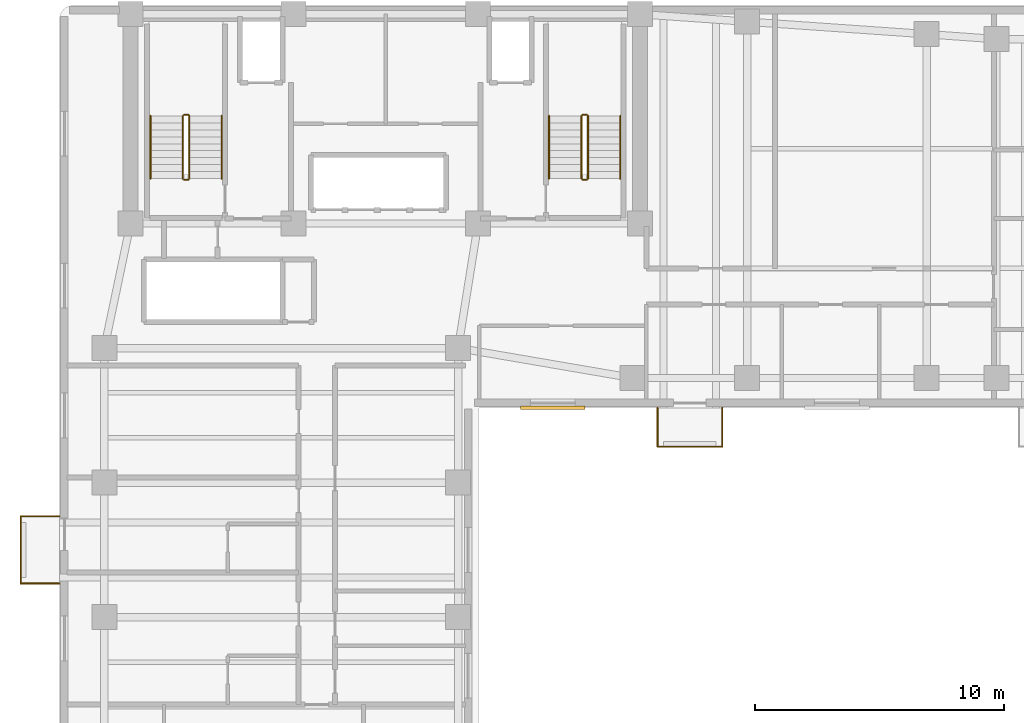
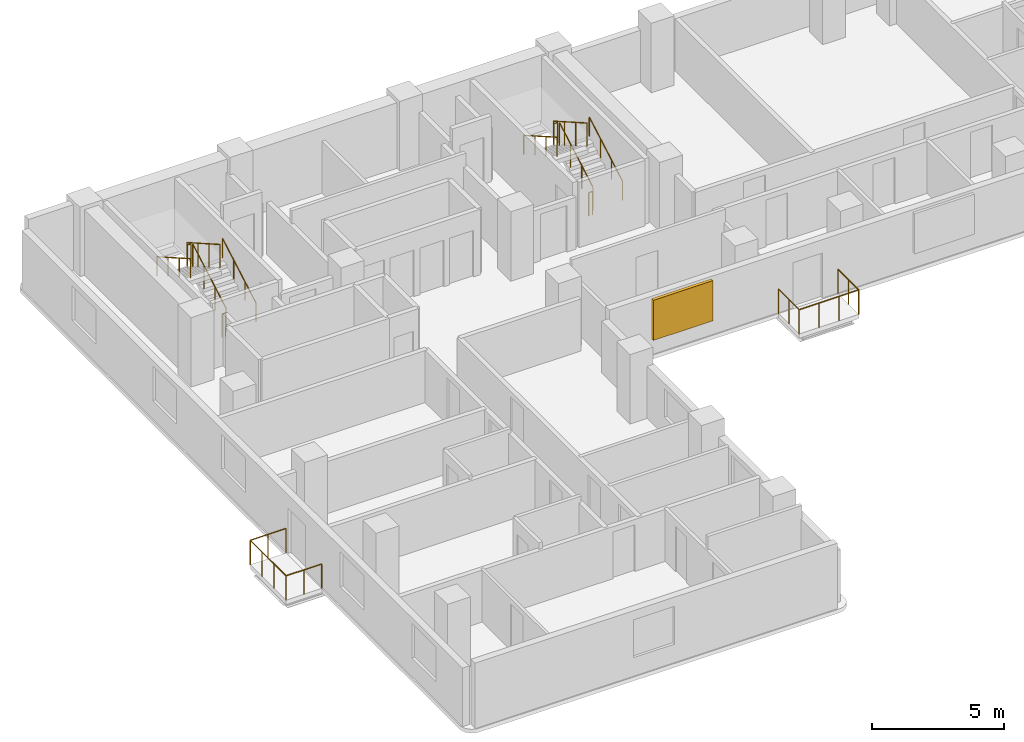
# One storey, part 6 of 7: 18 railings, 1 shading device.
"""IFC4 building model written with IfcOpenShell, lengths in metres."""

from ifc_helpers import new_model, si_unit, direction, frame, origin, origin_2d, place, context, subcontext, project, spatial, rectangle, circle, extrude, material, layer, layer_set, type_object, element, save


model = new_model("IFC4")

# Units and contexts
model_context = context("Model", 3, precision=1e-05, world=origin(), true_north=direction((0.0, 1.0)))
body_context = subcontext(model_context, "Body", "Model", "MODEL_VIEW")
ifc_project = project(units=[si_unit("LENGTHUNIT", "METRE"), si_unit("AREAUNIT", "SQUARE_METRE"), si_unit("VOLUMEUNIT", "CUBIC_METRE"), si_unit("PLANEANGLEUNIT", "RADIAN"), si_unit("MASSUNIT", "GRAM", prefix="KILO")], contexts=[model_context])

# Site, building, storey
site_placement = place(None, origin())
site = spatial("IfcSite", under=ifc_project, at=site_placement, CompositionType="ELEMENT")
building_placement = place(site_placement, origin())
building = spatial("IfcBuilding", under=site, at=building_placement, Name="Kuzgunbayir Cultural Tower", CompositionType="ELEMENT")
storey_placement = place(building_placement, frame((0.0, 0.0, 110.60009765625)))
storey = spatial("IfcBuildingStorey", under=building, at=storey_placement, Name="L31", CompositionType="ELEMENT", Elevation=110.60009765625)

# Railings
ifc_material_1 = material(Name="Laminated Glass and Stainless Steel", Category="steel")
ifc_layer_1 = layer(ifc_material_1, 0.080078125)
ifc_layer_set_1 = layer_set([ifc_layer_1], Name="Laminated Glass and Stainless Steel")
railing_type_1 = type_object("IfcRailingType", Name="RLG-BAL-115", PredefinedType="BALUSTRADE", material=ifc_layer_set_1)
railing_1_placement = place(storey_placement, frame((3.60009765625, 19.35009765625, 0.0)))
element("IfcRailing", 1, at=railing_1_placement, inside=storey, type_object=railing_type_1, Name="L31 Balcony Guard BAL-L31-WA2 Segment 1", PredefinedType="BALUSTRADE", context=body_context, shape_type="SweptSolid", body=[
    extrude(circle(Radius=0.02392578125, at=origin_2d()), frame((0.0, 0.0, 1.1259765625), z_axis=(-1.0, 0.0, 0.0), x_axis=(0.0, -1.0, 0.0)), (0.0, 0.0, 1.0), 1.56005859375),
    extrude(circle(Radius=0.02099609375, at=origin_2d()), origin(), (0.0, 0.0, 1.0), 1.101806640625),
    extrude(circle(Radius=0.02099609375, at=origin_2d()), frame((-0.780029296875, 0.0, 0.0)), (0.0, 0.0, 1.0), 1.101806640625),
    extrude(circle(Radius=0.02099609375, at=origin_2d()), frame((-1.56005859375, 0.0, 0.0)), (0.0, 0.0, 1.0), 1.101806640625),
])
railing_2_placement = place(storey_placement, frame((2.0400390625, 19.35009765625, 0.0)))
element("IfcRailing", 2, at=railing_2_placement, inside=storey, type_object=railing_type_1, Name="L31 Balcony Guard BAL-L31-WA2 Segment 2", PredefinedType="BALUSTRADE", context=body_context, shape_type="SweptSolid", body=[
    extrude(circle(Radius=0.02392578125, at=origin_2d()), frame((0.0, 0.0, 1.1259765625), z_axis=(0.0, 1.0, 0.0), x_axis=(-1.0, 0.0, 0.0)), (0.0, 0.0, 1.0), 2.699951171875),
    extrude(circle(Radius=0.02099609375, at=origin_2d()), origin(), (0.0, 0.0, 1.0), 1.101806640625),
    extrude(circle(Radius=0.02099609375, at=origin_2d()), frame((0.0, 0.89990234375, 0.0)), (0.0, 0.0, 1.0), 1.101806640625),
    extrude(circle(Radius=0.02099609375, at=origin_2d()), frame((0.0, 1.800048828125, 0.0)), (0.0, 0.0, 1.0), 1.101806640625),
    extrude(circle(Radius=0.02099609375, at=origin_2d()), frame((0.0, 2.699951171875, 0.0)), (0.0, 0.0, 1.0), 1.101806640625),
])
railing_3_placement = place(storey_placement, frame((2.0400390625, 22.050048828125, 0.0)))
element("IfcRailing", 3, at=railing_3_placement, inside=storey, type_object=railing_type_1, Name="L31 Balcony Guard BAL-L31-WA2 Segment 3", PredefinedType="BALUSTRADE", context=body_context, shape_type="SweptSolid", body=[
    extrude(circle(Radius=0.02392578125, at=origin_2d()), frame((0.0, 0.0, 1.1259765625), z_axis=(1.0, 0.0, 0.0), x_axis=(0.0, 1.0, 0.0)), (0.0, 0.0, 1.0), 1.56005859375),
    extrude(circle(Radius=0.02099609375, at=origin_2d()), origin(), (0.0, 0.0, 1.0), 1.101806640625),
    extrude(circle(Radius=0.02099609375, at=origin_2d()), frame((0.780029296875, 0.0, 0.0)), (0.0, 0.0, 1.0), 1.101806640625),
    extrude(circle(Radius=0.02099609375, at=origin_2d()), frame((1.56005859375, 0.0, 0.0)), (0.0, 0.0, 1.0), 1.101806640625),
])
railing_4_placement = place(storey_placement, frame((27.60009765625, 26.39990234375, 0.0)))
element("IfcRailing", 4, at=railing_4_placement, inside=storey, type_object=railing_type_1, Name="L31 Balcony Guard BAL-L31-WB1 Segment 1", PredefinedType="BALUSTRADE", context=body_context, shape_type="SweptSolid", body=[
    extrude(circle(Radius=0.02392578125, at=origin_2d()), frame((0.0, 0.0, 1.1259765625), z_axis=(0.0, -1.0, 0.0), x_axis=(1.0, 0.0, 0.0)), (0.0, 0.0, 1.0), 1.559814453125),
    extrude(circle(Radius=0.02099609375, at=origin_2d()), origin(), (0.0, 0.0, 1.0), 1.101806640625),
    extrude(circle(Radius=0.02099609375, at=origin_2d()), frame((0.0, -0.77978515625, 0.0)), (0.0, 0.0, 1.0), 1.101806640625),
    extrude(circle(Radius=0.02099609375, at=origin_2d()), frame((0.0, -1.559814453125, 0.0)), (0.0, 0.0, 1.0), 1.101806640625),
])
railing_5_placement = place(storey_placement, frame((27.60009765625, 24.840087890625, 0.0)))
element("IfcRailing", 5, at=railing_5_placement, inside=storey, type_object=railing_type_1, Name="L31 Balcony Guard BAL-L31-WB1 Segment 2", PredefinedType="BALUSTRADE", context=body_context, shape_type="SweptSolid", body=[
    extrude(circle(Radius=0.02392578125, at=origin_2d()), frame((0.0, 0.0, 1.1259765625), z_axis=(1.0, 0.0, 0.0), x_axis=(0.0, 1.0, 0.0)), (0.0, 0.0, 1.0), 2.599853515625),
    extrude(circle(Radius=0.02099609375, at=origin_2d()), origin(), (0.0, 0.0, 1.0), 1.101806640625),
    extrude(circle(Radius=0.02099609375, at=origin_2d()), frame((0.86669921875, 0.0, 0.0)), (0.0, 0.0, 1.0), 1.101806640625),
    extrude(circle(Radius=0.02099609375, at=origin_2d()), frame((1.733154296875, 0.0, 0.0)), (0.0, 0.0, 1.0), 1.101806640625),
    extrude(circle(Radius=0.02099609375, at=origin_2d()), frame((2.599853515625, 0.0, 0.0)), (0.0, 0.0, 1.0), 1.101806640625),
])
railing_6_placement = place(storey_placement, frame((30.199951171875, 24.840087890625, 0.0)))
element("IfcRailing", 6, at=railing_6_placement, inside=storey, type_object=railing_type_1, Name="L31 Balcony Guard BAL-L31-WB1 Segment 3", PredefinedType="BALUSTRADE", context=body_context, shape_type="SweptSolid", body=[
    extrude(circle(Radius=0.02392578125, at=origin_2d()), frame((0.0, 0.0, 1.1259765625), z_axis=(0.0, 1.0, 0.0), x_axis=(-1.0, 0.0, 0.0)), (0.0, 0.0, 1.0), 1.559814453125),
    extrude(circle(Radius=0.02099609375, at=origin_2d()), origin(), (0.0, 0.0, 1.0), 1.101806640625),
    extrude(circle(Radius=0.02099609375, at=origin_2d()), frame((0.0, 0.77978515625, 0.0)), (0.0, 0.0, 1.0), 1.101806640625),
    extrude(circle(Radius=0.02099609375, at=origin_2d()), frame((0.0, 1.559814453125, 0.0)), (0.0, 0.0, 1.0), 1.101806640625),
])
ifc_material_2 = material(Name="Brushed Stainless Steel", Category="steel")
ifc_layer_2 = layer(ifc_material_2, 0.050048828125)
ifc_layer_set_2 = layer_set([ifc_layer_2], Name="Brushed Stainless Steel")
railing_type_2 = type_object("IfcRailingType", Name="RLG-STAIR-HANDRAIL", PredefinedType="HANDRAIL", material=ifc_layer_set_2)
railing_7_placement = place(storey_placement, frame((10.110107421875, 35.60009765625, 0.159912109375)))
element("IfcRailing", 7, at=railing_7_placement, inside=storey, type_object=railing_type_2, Name="L31 ST-1 stair handrail 1", PredefinedType="HANDRAIL", context=body_context, shape_type="SweptSolid", body=[
    extrude(circle(Radius=0.02392578125, at=origin_2d()), frame((0.0, 0.0, 0.8759765625), z_axis=(0.0, 0.868253494771, 0.496120820787), x_axis=(-1.0, 0.0, 0.0)), (0.0, 0.0, 1.0), 2.90234375),
    extrude(circle(Radius=0.02099609375, at=origin_2d()), origin(), (0.0, 0.0, 1.0), 0.851806640625),
    extrude(circle(Radius=0.02099609375, at=origin_2d()), frame((0.0, 0.840087890625, 0.47998046875)), (0.0, 0.0, 1.0), 0.851806640625),
    extrude(circle(Radius=0.02099609375, at=origin_2d()), frame((0.0, 1.679931640625, 0.9599609375)), (0.0, 0.0, 1.0), 0.851806640625),
    extrude(circle(Radius=0.02099609375, at=origin_2d()), frame((0.0, 2.52001953125, 1.43994140625)), (0.0, 0.0, 1.0), 0.851806640625),
])
railing_8_placement = place(storey_placement, frame((7.25, 38.1201171875, 1.760009765625)))
element("IfcRailing", 8, at=railing_8_placement, inside=storey, type_object=railing_type_2, Name="L31 ST-1 stair handrail 2", PredefinedType="HANDRAIL", context=body_context, shape_type="SweptSolid", body=[
    extrude(circle(Radius=0.02392578125, at=origin_2d()), frame((0.0, 0.0, 0.8759765625), z_axis=(0.0, -0.868253494771, 0.496120820787), x_axis=(1.0, 0.0, 0.0)), (0.0, 0.0, 1.0), 2.90234375),
    extrude(circle(Radius=0.02099609375, at=origin_2d()), origin(), (0.0, 0.0, 1.0), 0.851806640625),
    extrude(circle(Radius=0.02099609375, at=origin_2d()), frame((0.0, -0.840087890625, 0.47998046875)), (0.0, 0.0, 1.0), 0.851806640625),
    extrude(circle(Radius=0.02099609375, at=origin_2d()), frame((0.0, -1.679931640625, 0.9599609375)), (0.0, 0.0, 1.0), 0.851806640625),
    extrude(circle(Radius=0.02099609375, at=origin_2d()), frame((0.0, -2.52001953125, 1.43994140625)), (0.0, 0.0, 1.0), 0.851806640625),
])
railing_9_placement = place(storey_placement, frame((26.110107421875, 35.60009765625, 0.159912109375)))
element("IfcRailing", 9, at=railing_9_placement, inside=storey, type_object=railing_type_2, Name="L31 ST-2 stair handrail 1", PredefinedType="HANDRAIL", context=body_context, shape_type="SweptSolid", body=[
    extrude(circle(Radius=0.02392578125, at=origin_2d()), frame((0.0, 0.0, 0.8759765625), z_axis=(0.0, 0.868253494771, 0.496120820787), x_axis=(-1.0, 0.0, 0.0)), (0.0, 0.0, 1.0), 2.90234375),
    extrude(circle(Radius=0.02099609375, at=origin_2d()), origin(), (0.0, 0.0, 1.0), 0.851806640625),
    extrude(circle(Radius=0.02099609375, at=origin_2d()), frame((0.0, 0.840087890625, 0.47998046875)), (0.0, 0.0, 1.0), 0.851806640625),
    extrude(circle(Radius=0.02099609375, at=origin_2d()), frame((0.0, 1.679931640625, 0.9599609375)), (0.0, 0.0, 1.0), 0.851806640625),
    extrude(circle(Radius=0.02099609375, at=origin_2d()), frame((0.0, 2.52001953125, 1.43994140625)), (0.0, 0.0, 1.0), 0.851806640625),
])
railing_10_placement = place(storey_placement, frame((23.25, 38.1201171875, 1.760009765625)))
element("IfcRailing", 10, at=railing_10_placement, inside=storey, type_object=railing_type_2, Name="L31 ST-2 stair handrail 2", PredefinedType="HANDRAIL", context=body_context, shape_type="SweptSolid", body=[
    extrude(circle(Radius=0.02392578125, at=origin_2d()), frame((0.0, 0.0, 0.8759765625), z_axis=(0.0, -0.868253494771, 0.496120820787), x_axis=(1.0, 0.0, 0.0)), (0.0, 0.0, 1.0), 2.90234375),
    extrude(circle(Radius=0.02099609375, at=origin_2d()), origin(), (0.0, 0.0, 1.0), 0.851806640625),
    extrude(circle(Radius=0.02099609375, at=origin_2d()), frame((0.0, -0.840087890625, 0.47998046875)), (0.0, 0.0, 1.0), 0.851806640625),
    extrude(circle(Radius=0.02099609375, at=origin_2d()), frame((0.0, -1.679931640625, 0.9599609375)), (0.0, 0.0, 1.0), 0.851806640625),
    extrude(circle(Radius=0.02099609375, at=origin_2d()), frame((0.0, -2.52001953125, 1.43994140625)), (0.0, 0.0, 1.0), 0.851806640625),
])
ifc_material_3 = material(Name="Painted Steel Balustrade", Category="steel")
ifc_layer_3 = layer(ifc_material_3, 0.06005859375)
ifc_layer_set_3 = layer_set([ifc_layer_3], Name="Painted Steel Balustrade")
railing_type_3 = type_object("IfcRailingType", Name="RLG-WELL-GUARD", PredefinedType="GUARDRAIL", material=ifc_layer_set_3)
railing_11_placement = place(storey_placement, frame((8.81005859375, 35.60009765625, 0.159912109375)))
element("IfcRailing", 11, at=railing_11_placement, inside=storey, type_object=railing_type_3, Name="L31 ST-1 stair guard 1", PredefinedType="GUARDRAIL", context=body_context, shape_type="SweptSolid", body=[
    extrude(circle(Radius=0.02392578125, at=origin_2d()), frame((0.0, 0.0, 1.076171875), z_axis=(0.0, 0.868253494771, 0.496120820787), x_axis=(-1.0, 0.0, 0.0)), (0.0, 0.0, 1.0), 2.90234375),
    extrude(circle(Radius=0.02099609375, at=origin_2d()), origin(), (0.0, 0.0, 1.0), 1.052001953125),
    extrude(circle(Radius=0.02099609375, at=origin_2d()), frame((0.0, 0.840087890625, 0.47998046875)), (0.0, 0.0, 1.0), 1.052001953125),
    extrude(circle(Radius=0.02099609375, at=origin_2d()), frame((0.0, 1.679931640625, 0.9599609375)), (0.0, 0.0, 1.0), 1.052001953125),
    extrude(circle(Radius=0.02099609375, at=origin_2d()), frame((0.0, 2.52001953125, 1.43994140625)), (0.0, 0.0, 1.0), 1.052001953125),
])
railing_12_placement = place(storey_placement, frame((8.760009765625, 38.169921875, 1.599853515625)))
element("IfcRailing", 12, at=railing_12_placement, inside=storey, type_object=railing_type_3, Name="L31 ST-1 stair guard 2", PredefinedType="GUARDRAIL", context=body_context, shape_type="SweptSolid", body=[
    extrude(circle(Radius=0.02392578125, at=origin_2d()), frame((0.0, 0.0, 1.076171875), z_axis=(-1.0, 0.0, 0.0), x_axis=(0.0, -1.0, 0.0)), (0.0, 0.0, 1.0), 0.159912109375),
    extrude(circle(Radius=0.02099609375, at=origin_2d()), origin(), (0.0, 0.0, 1.0), 1.052001953125),
    extrude(circle(Radius=0.02099609375, at=origin_2d()), frame((-0.159912109375, 0.0, 0.0)), (0.0, 0.0, 1.0), 1.052001953125),
])
railing_13_placement = place(storey_placement, frame((8.550048828125, 38.1201171875, 1.760009765625)))
element("IfcRailing", 13, at=railing_13_placement, inside=storey, type_object=railing_type_3, Name="L31 ST-1 stair guard 3", PredefinedType="GUARDRAIL", context=body_context, shape_type="SweptSolid", body=[
    extrude(circle(Radius=0.02392578125, at=origin_2d()), frame((0.0, 0.0, 1.076171875), z_axis=(0.0, -0.868253494771, 0.496120820787), x_axis=(1.0, 0.0, 0.0)), (0.0, 0.0, 1.0), 2.90234375),
    extrude(circle(Radius=0.02099609375, at=origin_2d()), origin(), (0.0, 0.0, 1.0), 1.052001953125),
    extrude(circle(Radius=0.02099609375, at=origin_2d()), frame((0.0, -0.840087890625, 0.47998046875)), (0.0, 0.0, 1.0), 1.052001953125),
    extrude(circle(Radius=0.02099609375, at=origin_2d()), frame((0.0, -1.679931640625, 0.9599609375)), (0.0, 0.0, 1.0), 1.052001953125),
    extrude(circle(Radius=0.02099609375, at=origin_2d()), frame((0.0, -2.52001953125, 1.43994140625)), (0.0, 0.0, 1.0), 1.052001953125),
])
railing_14_placement = place(storey_placement, frame((8.760009765625, 35.550048828125, 0.0)))
element("IfcRailing", 14, at=railing_14_placement, inside=storey, type_object=railing_type_3, Name="L31 ST-1 stair guard 4", PredefinedType="GUARDRAIL", context=body_context, shape_type="SweptSolid", body=[
    extrude(circle(Radius=0.02392578125, at=origin_2d()), frame((0.0, 0.0, 1.076171875), z_axis=(-1.0, 0.0, 0.0), x_axis=(0.0, -1.0, 0.0)), (0.0, 0.0, 1.0), 0.159912109375),
    extrude(circle(Radius=0.02099609375, at=origin_2d()), origin(), (0.0, 0.0, 1.0), 1.052001953125),
    extrude(circle(Radius=0.02099609375, at=origin_2d()), frame((-0.159912109375, 0.0, 0.0)), (0.0, 0.0, 1.0), 1.052001953125),
])
railing_15_placement = place(storey_placement, frame((24.81005859375, 35.60009765625, 0.159912109375)))
element("IfcRailing", 15, at=railing_15_placement, inside=storey, type_object=railing_type_3, Name="L31 ST-2 stair guard 1", PredefinedType="GUARDRAIL", context=body_context, shape_type="SweptSolid", body=[
    extrude(circle(Radius=0.02392578125, at=origin_2d()), frame((0.0, 0.0, 1.076171875), z_axis=(0.0, 0.868253494771, 0.496120820787), x_axis=(-1.0, 0.0, 0.0)), (0.0, 0.0, 1.0), 2.90234375),
    extrude(circle(Radius=0.02099609375, at=origin_2d()), origin(), (0.0, 0.0, 1.0), 1.052001953125),
    extrude(circle(Radius=0.02099609375, at=origin_2d()), frame((0.0, 0.840087890625, 0.47998046875)), (0.0, 0.0, 1.0), 1.052001953125),
    extrude(circle(Radius=0.02099609375, at=origin_2d()), frame((0.0, 1.679931640625, 0.9599609375)), (0.0, 0.0, 1.0), 1.052001953125),
    extrude(circle(Radius=0.02099609375, at=origin_2d()), frame((0.0, 2.52001953125, 1.43994140625)), (0.0, 0.0, 1.0), 1.052001953125),
])
railing_16_placement = place(storey_placement, frame((24.760009765625, 38.169921875, 1.599853515625)))
element("IfcRailing", 16, at=railing_16_placement, inside=storey, type_object=railing_type_3, Name="L31 ST-2 stair guard 2", PredefinedType="GUARDRAIL", context=body_context, shape_type="SweptSolid", body=[
    extrude(circle(Radius=0.02392578125, at=origin_2d()), frame((0.0, 0.0, 1.076171875), z_axis=(-1.0, 0.0, 0.0), x_axis=(0.0, -1.0, 0.0)), (0.0, 0.0, 1.0), 0.159912109375),
    extrude(circle(Radius=0.02099609375, at=origin_2d()), origin(), (0.0, 0.0, 1.0), 1.052001953125),
    extrude(circle(Radius=0.02099609375, at=origin_2d()), frame((-0.159912109375, 0.0, 0.0)), (0.0, 0.0, 1.0), 1.052001953125),
])
railing_17_placement = place(storey_placement, frame((24.550048828125, 38.1201171875, 1.760009765625)))
element("IfcRailing", 17, at=railing_17_placement, inside=storey, type_object=railing_type_3, Name="L31 ST-2 stair guard 3", PredefinedType="GUARDRAIL", context=body_context, shape_type="SweptSolid", body=[
    extrude(circle(Radius=0.02392578125, at=origin_2d()), frame((0.0, 0.0, 1.076171875), z_axis=(0.0, -0.868253494771, 0.496120820787), x_axis=(1.0, 0.0, 0.0)), (0.0, 0.0, 1.0), 2.90234375),
    extrude(circle(Radius=0.02099609375, at=origin_2d()), origin(), (0.0, 0.0, 1.0), 1.052001953125),
    extrude(circle(Radius=0.02099609375, at=origin_2d()), frame((0.0, -0.840087890625, 0.47998046875)), (0.0, 0.0, 1.0), 1.052001953125),
    extrude(circle(Radius=0.02099609375, at=origin_2d()), frame((0.0, -1.679931640625, 0.9599609375)), (0.0, 0.0, 1.0), 1.052001953125),
    extrude(circle(Radius=0.02099609375, at=origin_2d()), frame((0.0, -2.52001953125, 1.43994140625)), (0.0, 0.0, 1.0), 1.052001953125),
])
railing_18_placement = place(storey_placement, frame((24.760009765625, 35.550048828125, 0.0)))
element("IfcRailing", 18, at=railing_18_placement, inside=storey, type_object=railing_type_3, Name="L31 ST-2 stair guard 4", PredefinedType="GUARDRAIL", context=body_context, shape_type="SweptSolid", body=[
    extrude(circle(Radius=0.02392578125, at=origin_2d()), frame((0.0, 0.0, 1.076171875), z_axis=(-1.0, 0.0, 0.0), x_axis=(0.0, -1.0, 0.0)), (0.0, 0.0, 1.0), 0.159912109375),
    extrude(circle(Radius=0.02099609375, at=origin_2d()), origin(), (0.0, 0.0, 1.0), 1.052001953125),
    extrude(circle(Radius=0.02099609375, at=origin_2d()), frame((-0.159912109375, 0.0, 0.0)), (0.0, 0.0, 1.0), 1.052001953125),
])

# Shading device
ifc_material_4 = material(Name="Perforated Bronze-Anodised Aluminium", Category="aluminium")
shading_device_type = type_object("IfcShadingDeviceType", Name="SHD-SOLAR-BRONZE", PredefinedType="JALOUSIE", material=ifc_material_4)
shading_device_placement = place(storey_placement, frame((23.39990234375, 26.39990234375, 0.724853515625), z_axis=(0.0, 0.0, 1.0), x_axis=(1.0, 0.0, 0.0)))
element("IfcShadingDevice", 19, at=shading_device_placement, inside=storey, type_object=shading_device_type, Name="L31 Solar Screen WBS11", PredefinedType="JALOUSIE", context=body_context, shape_type="SweptSolid", body=[
    extrude(rectangle(XDim=2.60009765625, YDim=0.139892578125, at=origin_2d()), origin(), (0.0, 0.0, 1.0), 1.85009765625),
])

save(model, "model.ifc")
